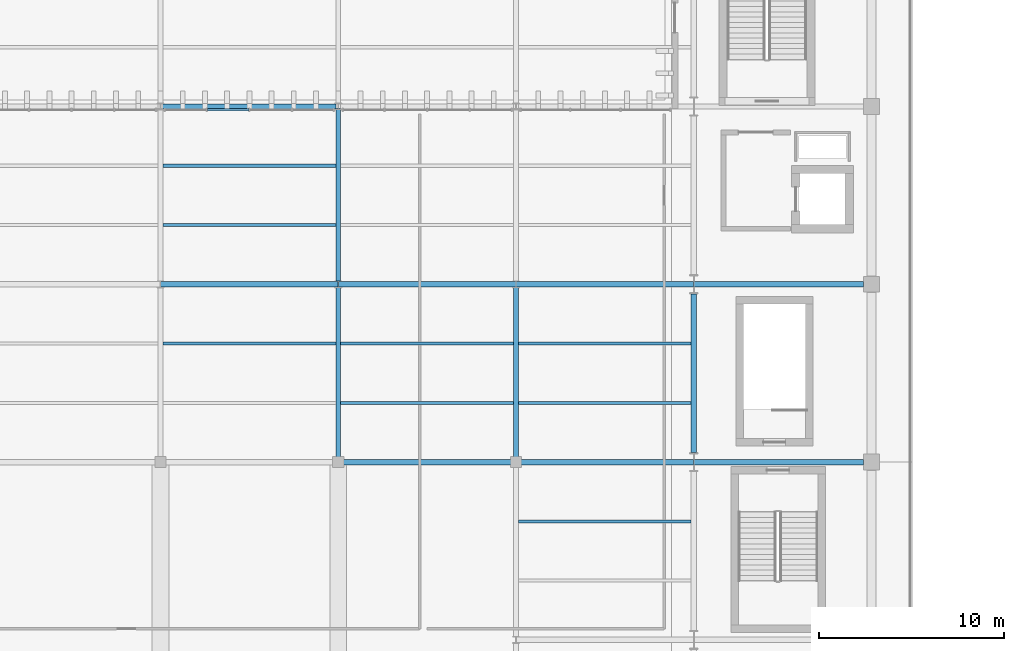
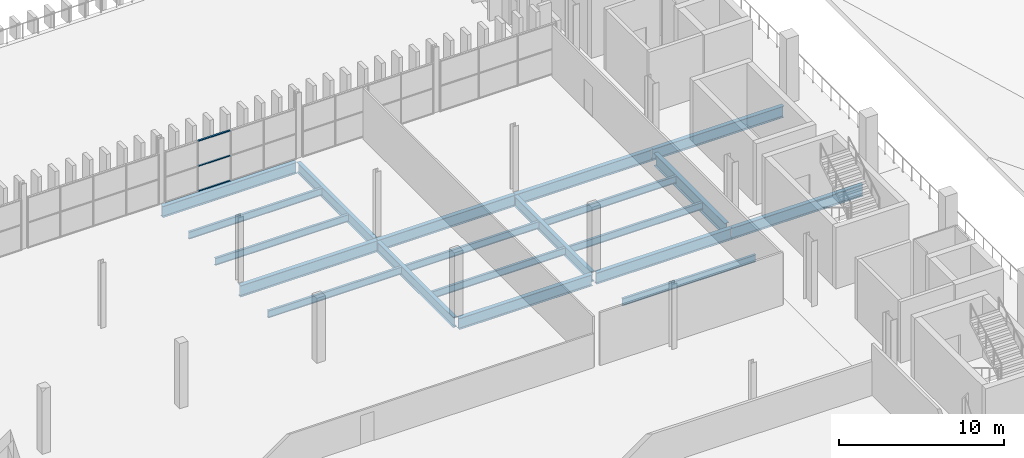
# One storey, part 27 of 99: 20 beams, 3 members, 1 element without a shape of its own.
"""IFC4 building model written with IfcOpenShell, lengths in metres."""

from ifc_helpers import new_model, si_unit, direction, frame, origin, origin_2d, place, context, subcontext, project, spatial, rectangle, i_section, extrude, material, layer, layer_set, material_profile, profile_set, type_object, element, aggregate, save


model = new_model("IFC4")

# Units and contexts
model_context = context("Model", 3, precision=1e-05, world=origin(), true_north=direction((0.0, 1.0)))
body_context = subcontext(model_context, "Body", "Model", "MODEL_VIEW")
ifc_project = project(units=[si_unit("LENGTHUNIT", "METRE"), si_unit("AREAUNIT", "SQUARE_METRE"), si_unit("VOLUMEUNIT", "CUBIC_METRE"), si_unit("PLANEANGLEUNIT", "RADIAN"), si_unit("MASSUNIT", "GRAM", prefix="KILO")], contexts=[model_context])

# Site, building, storey
site_placement = place(None, origin())
site = spatial("IfcSite", under=ifc_project, at=site_placement, CompositionType="ELEMENT")
building_placement = place(site_placement, origin())
building = spatial("IfcBuilding", under=site, at=building_placement, Name="Caelomonte Colonnade Arena", CompositionType="ELEMENT")
storey_placement = place(building_placement, frame((0.0, 0.0, 4.800048828125)))
storey = spatial("IfcBuildingStorey", under=building, at=storey_placement, Name="L01", CompositionType="ELEMENT", Elevation=4.800048828125)

# Curtain wall, members
ifc_material_1 = material(Name="Bronze anodised aluminium and low-E glazing", Category="aluminium")
ifc_layer = layer(ifc_material_1, 0.179931640625)
ifc_layer_set = layer_set([ifc_layer], Name="Bronze anodised aluminium and low-E glazing")
curtain_wall_type = type_object("IfcCurtainWallType", Name="ENV-CW-CW-L01-96-38", PredefinedType="USERDEFINED", material=ifc_layer_set)
curtain_wall_placement = place(storey_placement, origin())
curtain_wall = element("IfcCurtainWall", 1, at=curtain_wall_placement, inside=storey, type_object=curtain_wall_type, Name="L01 unitized curtain wall CW-L01-0336-0862", ObjectType="UNITIZED CURTAIN WALL", PredefinedType="USERDEFINED")
ifc_material_2 = material(Name="Bronze anodised aluminium AA6063-T6", Category="aluminium")
ifc_material_profile_1 = material_profile(ifc_material_2, rectangle(XDim=0.06494140625, YDim=0.1201171875, at=origin_2d()), Name="CWT-65X120")
ifc_profile_set_1 = profile_set([ifc_material_profile_1], Name="Bronze anodised aluminium AA6063-T6")
member_type = type_object("IfcMemberType", Name="ENV-CW-TRAN2", PredefinedType="USERDEFINED", material=ifc_profile_set_1)
member_1_placement = place(storey_placement, frame((33.5673828125, 86.219970703125, 0.032470703125), z_axis=(-1.0, 0.0, 0.0), x_axis=(0.0, 0.0, 1.0)))
member_1 = element("IfcMember", 2, at=member_1_placement, type_object=member_type, Name="CW-L01-96-38 transom 3.1", ObjectType="TRANSOM", PredefinedType="USERDEFINED", context=body_context, shape_type="SweptSolid", body=[
    extrude(rectangle(XDim=0.06494140625, YDim=0.1201171875, at=origin_2d()), origin(), (0.0, 0.0, 1.0), 2.232666015625),
])
member_2_placement = place(storey_placement, frame((33.5673828125, 86.219970703125, 1.87890625), z_axis=(-1.0, 0.0, 0.0), x_axis=(0.0, 0.0, 1.0)))
member_2 = element("IfcMember", 3, at=member_2_placement, type_object=member_type, Name="CW-L01-96-38 transom 3.2", ObjectType="TRANSOM", PredefinedType="USERDEFINED", context=body_context, shape_type="SweptSolid", body=[
    extrude(rectangle(XDim=0.06494140625, YDim=0.1201171875, at=origin_2d()), origin(), (0.0, 0.0, 1.0), 2.232666015625),
])
member_3_placement = place(storey_placement, frame((33.5673828125, 86.219970703125, 3.725341796875), z_axis=(-1.0, 0.0, 0.0), x_axis=(0.0, 0.0, 1.0)))
member_3 = element("IfcMember", 4, at=member_3_placement, type_object=member_type, Name="CW-L01-96-38 transom 3.3", ObjectType="TRANSOM", PredefinedType="USERDEFINED", context=body_context, shape_type="SweptSolid", body=[
    extrude(rectangle(XDim=0.06494140625, YDim=0.1201171875, at=origin_2d()), origin(), (0.0, 0.0, 1.0), 2.232666015625),
])
aggregate(curtain_wall, [member_1, member_2, member_3])

# Beams
ifc_material_3 = material(Name="Wide-flange steel ASTM A992 Grade 50", Category="steel")
ifc_material_profile_2 = material_profile(ifc_material_3, i_section(OverallWidth=0.307861328125, OverallDepth=0.927001953125, WebThickness=0.019287109375, FlangeThickness=0.031982421875, FilletRadius=0.020263671875, at=origin_2d()), Name="W36X194")
ifc_profile_set_2 = profile_set([ifc_material_profile_2], Name="Wide-flange steel ASTM A992 Grade 50")
beam_type_1 = type_object("IfcBeamType", Name="STR-BM-EAVES2", PredefinedType="SPANDREL", material=ifc_profile_set_2)
beam_1_placement = place(storey_placement, frame((57.60009765625, 67.712646484375, -0.763427734375), z_axis=(0.0, 1.0, 0.0), x_axis=(-1.0, 0.0, 0.0)))
element("IfcBeam", 5, at=beam_1_placement, inside=storey, type_object=beam_type_1, Name="L01 girder BMY-L01-0576-0672", PredefinedType="SPANDREL", context=body_context, shape_type="SweptSolid", body=[
    extrude(i_section(OverallWidth=0.307861328125, OverallDepth=0.927001953125, WebThickness=0.019287109375, FlangeThickness=0.031982421875, FilletRadius=0.020263671875, at=origin_2d()), origin(), (0.0, 0.0, 1.0), 8.57470703125),
])
ifc_material_profile_3 = material_profile(ifc_material_3, i_section(OverallWidth=0.2666015625, OverallDepth=0.761962890625, WebThickness=0.014404296875, FlangeThickness=0.021484375, FilletRadius=0.0166015625, at=origin_2d()), Name="W30X116")
ifc_profile_set_3 = profile_set([ifc_material_profile_3], Name="Wide-flange steel ASTM A992 Grade 50")
beam_type_2 = type_object("IfcBeamType", Name="STR-BM-GIRD30", PredefinedType="BEAM", material=ifc_profile_set_3)
beam_2_placement = place(storey_placement, frame((38.39990234375, 67.344482421875, -0.68115234375), z_axis=(0.0, 1.0, 0.0), x_axis=(-1.0, 0.0, 0.0)))
element("IfcBeam", 6, at=beam_2_placement, inside=storey, type_object=beam_type_2, Name="L01 girder BMY-L01-0384-0672", PredefinedType="BEAM", context=body_context, shape_type="SweptSolid", body=[
    extrude(i_section(OverallWidth=0.2666015625, OverallDepth=0.761962890625, WebThickness=0.014404296875, FlangeThickness=0.021484375, FilletRadius=0.0166015625, at=origin_2d()), origin(), (0.0, 0.0, 1.0), 9.285400390625),
])
beam_3_placement = place(storey_placement, frame((38.39990234375, 76.97021484375, -0.68115234375), z_axis=(0.0, 1.0, 0.0), x_axis=(-1.0, 0.0, 0.0)))
element("IfcBeam", 7, at=beam_3_placement, inside=storey, type_object=beam_type_2, Name="L01 girder BMY-L01-0384-0768", PredefinedType="BEAM", context=body_context, shape_type="SweptSolid", body=[
    extrude(i_section(OverallWidth=0.2666015625, OverallDepth=0.761962890625, WebThickness=0.014404296875, FlangeThickness=0.021484375, FilletRadius=0.0166015625, at=origin_2d()), origin(), (0.0, 0.0, 1.0), 9.310791015625),
])
beam_4_placement = place(storey_placement, frame((48.0, 67.344482421875, -0.68115234375), z_axis=(0.0, 1.0, 0.0), x_axis=(-1.0, 0.0, 0.0)))
element("IfcBeam", 8, at=beam_4_placement, inside=storey, type_object=beam_type_2, Name="L01 girder BMY-L01-0480-0672", PredefinedType="BEAM", context=body_context, shape_type="SweptSolid", body=[
    extrude(i_section(OverallWidth=0.2666015625, OverallDepth=0.761962890625, WebThickness=0.014404296875, FlangeThickness=0.021484375, FilletRadius=0.0166015625, at=origin_2d()), origin(), (0.0, 0.0, 1.0), 9.285400390625),
])
ifc_material_profile_4 = material_profile(ifc_material_3, i_section(OverallWidth=0.2919921875, OverallDepth=0.835693359375, WebThickness=0.013916015625, FlangeThickness=0.018798828125, FilletRadius=0.017822265625, at=origin_2d()), Name="W33X118")
ifc_profile_set_4 = profile_set([ifc_material_profile_4], Name="Wide-flange steel ASTM A992 Grade 50")
beam_type_3 = type_object("IfcBeamType", Name="STR-BM-GIRD33B", PredefinedType="BEAM", material=ifc_profile_set_4)
beam_5_placement = place(storey_placement, frame((38.54443359375, 67.199951171875, -0.7177734375), z_axis=(1.0, 0.0, 0.0), x_axis=(0.0, 1.0, 0.0)))
element("IfcBeam", 9, at=beam_5_placement, inside=storey, type_object=beam_type_3, Name="L01 girder BMX-L01-0384-0672", PredefinedType="BEAM", context=body_context, shape_type="SweptSolid", body=[
    extrude(i_section(OverallWidth=0.2919921875, OverallDepth=0.835693359375, WebThickness=0.013916015625, FlangeThickness=0.018798828125, FilletRadius=0.017822265625, at=origin_2d()), origin(), (0.0, 0.0, 1.0), 9.311279296875),
])
beam_6_placement = place(storey_placement, frame((48.144287109375, 67.199951171875, -0.7177734375), z_axis=(1.0, 0.0, 0.0), x_axis=(0.0, 1.0, 0.0)))
element("IfcBeam", 10, at=beam_6_placement, inside=storey, type_object=beam_type_3, Name="L01 girder BMX-L01-0480-0672", PredefinedType="BEAM", context=body_context, shape_type="SweptSolid", body=[
    extrude(i_section(OverallWidth=0.2919921875, OverallDepth=0.835693359375, WebThickness=0.013916015625, FlangeThickness=0.018798828125, FilletRadius=0.017822265625, at=origin_2d()), origin(), (0.0, 0.0, 1.0), 9.440185546875),
])
beam_7_placement = place(storey_placement, frame((57.615478515625, 67.199951171875, -0.7177734375), z_axis=(1.0, 0.0, 0.0), x_axis=(0.0, 1.0, 0.0)))
element("IfcBeam", 11, at=beam_7_placement, inside=storey, type_object=beam_type_3, Name="L01 girder BMX-L01-0576-0672", PredefinedType="BEAM", context=body_context, shape_type="SweptSolid", body=[
    extrude(i_section(OverallWidth=0.2919921875, OverallDepth=0.835693359375, WebThickness=0.013916015625, FlangeThickness=0.018798828125, FilletRadius=0.017822265625, at=origin_2d()), origin(), (0.0, 0.0, 1.0), 9.142578125),
])
beam_8_placement = place(storey_placement, frame((28.8056640625, 76.800048828125, -0.7177734375), z_axis=(1.0, 0.0, 0.0), x_axis=(0.0, 1.0, 0.0)))
element("IfcBeam", 12, at=beam_8_placement, inside=storey, type_object=beam_type_3, Name="L01 girder BMX-L01-0288-0768", PredefinedType="BEAM", context=body_context, shape_type="SweptSolid", body=[
    extrude(i_section(OverallWidth=0.2919921875, OverallDepth=0.835693359375, WebThickness=0.013916015625, FlangeThickness=0.018798828125, FilletRadius=0.017822265625, at=origin_2d()), origin(), (0.0, 0.0, 1.0), 9.588623046875),
])
beam_9_placement = place(storey_placement, frame((38.405517578125, 76.800048828125, -0.7177734375), z_axis=(1.0, 0.0, 0.0), x_axis=(0.0, 1.0, 0.0)))
element("IfcBeam", 13, at=beam_9_placement, inside=storey, type_object=beam_type_3, Name="L01 girder BMX-L01-0384-0768", PredefinedType="BEAM", context=body_context, shape_type="SweptSolid", body=[
    extrude(i_section(OverallWidth=0.2919921875, OverallDepth=0.835693359375, WebThickness=0.013916015625, FlangeThickness=0.018798828125, FilletRadius=0.017822265625, at=origin_2d()), origin(), (0.0, 0.0, 1.0), 9.5888671875),
])
beam_10_placement = place(storey_placement, frame((48.005615234375, 76.800048828125, -0.7177734375), z_axis=(1.0, 0.0, 0.0), x_axis=(0.0, 1.0, 0.0)))
element("IfcBeam", 14, at=beam_10_placement, inside=storey, type_object=beam_type_3, Name="L01 girder BMX-L01-0480-0768", PredefinedType="BEAM", context=body_context, shape_type="SweptSolid", body=[
    extrude(i_section(OverallWidth=0.2919921875, OverallDepth=0.835693359375, WebThickness=0.013916015625, FlangeThickness=0.018798828125, FilletRadius=0.017822265625, at=origin_2d()), origin(), (0.0, 0.0, 1.0), 9.578857421875),
])
beam_11_placement = place(storey_placement, frame((57.615478515625, 76.800048828125, -0.7177734375), z_axis=(1.0, 0.0, 0.0), x_axis=(0.0, 1.0, 0.0)))
element("IfcBeam", 15, at=beam_11_placement, inside=storey, type_object=beam_type_3, Name="L01 girder BMX-L01-0576-0768", PredefinedType="BEAM", context=body_context, shape_type="SweptSolid", body=[
    extrude(i_section(OverallWidth=0.2919921875, OverallDepth=0.835693359375, WebThickness=0.013916015625, FlangeThickness=0.018798828125, FilletRadius=0.017822265625, at=origin_2d()), origin(), (0.0, 0.0, 1.0), 9.142578125),
])
beam_12_placement = place(storey_placement, frame((28.9189453125, 86.39990234375, -0.7177734375), z_axis=(1.0, 0.0, 0.0), x_axis=(0.0, 1.0, 0.0)))
element("IfcBeam", 16, at=beam_12_placement, inside=storey, type_object=beam_type_3, Name="L01 girder BMX-L01-0288-0864", PredefinedType="BEAM", context=body_context, shape_type="SweptSolid", body=[
    extrude(i_section(OverallWidth=0.2919921875, OverallDepth=0.835693359375, WebThickness=0.013916015625, FlangeThickness=0.018798828125, FilletRadius=0.017822265625, at=origin_2d()), origin(), (0.0, 0.0, 1.0), 9.362060546875),
])
ifc_material_profile_5 = material_profile(ifc_material_3, i_section(OverallWidth=0.166015625, OverallDepth=0.5283203125, WebThickness=0.009765625, FlangeThickness=0.013671875, FilletRadius=0.0126953125, at=origin_2d()), Name="W21X50")
ifc_profile_set_5 = profile_set([ifc_material_profile_5], Name="Wide-flange steel ASTM A992 Grade 50")
beam_type_4 = type_object("IfcBeamType", Name="STR-BM-JOIST21B", PredefinedType="JOIST", material=ifc_profile_set_5)
for number, where, z_axis, x_axis, name in (
    (17, (28.928466796875, 73.60009765625, -0.564208984375), (1.0, 0.0, 0.0), (0.0, 1.0, 0.0), "L01 secondary joist 2"),
    (18, (28.928466796875, 80.0, -0.564208984375), (1.0, 0.0, 0.0), (0.0, 1.0, 0.0), "L01 secondary joist 1"),
    (19, (28.928466796875, 83.199951171875, -0.564208984375), (1.0, 0.0, 0.0), (0.0, 1.0, 0.0), "L01 secondary joist 2"),
    (20, (38.5283203125, 70.39990234375, -0.564208984375), (1.0, 0.0, 0.0), (0.0, 1.0, 0.0), "L01 secondary joist 1"),
    (21, (38.5283203125, 73.60009765625, -0.564208984375), (1.0, 0.0, 0.0), (0.0, 1.0, 0.0), "L01 secondary joist 2"),
):
    element("IfcBeam", number, at=place(storey_placement, frame(where, z_axis=z_axis, x_axis=x_axis)), inside=storey, type_object=beam_type_4, Name=name, PredefinedType="JOIST", context=body_context, shape_type="SweptSolid", body=[
        extrude(i_section(OverallWidth=0.166015625, OverallDepth=0.5283203125, WebThickness=0.009765625, FlangeThickness=0.013671875, FilletRadius=0.0126953125, at=origin_2d()), origin(), (0.0, 0.0, 1.0), 9.34326171875),
    ])
for number, where, z_axis, x_axis, name in (
    (22, (48.12841796875, 64.0, -0.564208984375), (1.0, 0.0, 0.0), (0.0, 1.0, 0.0), "L01 secondary joist 2"),
    (23, (48.12841796875, 70.39990234375, -0.564208984375), (1.0, 0.0, 0.0), (0.0, 1.0, 0.0), "L01 secondary joist 1"),
    (24, (48.12841796875, 73.60009765625, -0.564208984375), (1.0, 0.0, 0.0), (0.0, 1.0, 0.0), "L01 secondary joist 2"),
):
    element("IfcBeam", number, at=place(storey_placement, frame(where, z_axis=z_axis, x_axis=x_axis)), inside=storey, type_object=beam_type_4, Name=name, PredefinedType="JOIST", context=body_context, shape_type="SweptSolid", body=[
        extrude(i_section(OverallWidth=0.166015625, OverallDepth=0.5283203125, WebThickness=0.009765625, FlangeThickness=0.013671875, FilletRadius=0.0126953125, at=origin_2d()), origin(), (0.0, 0.0, 1.0), 9.32275390625),
    ])

save(model, "model.ifc")
